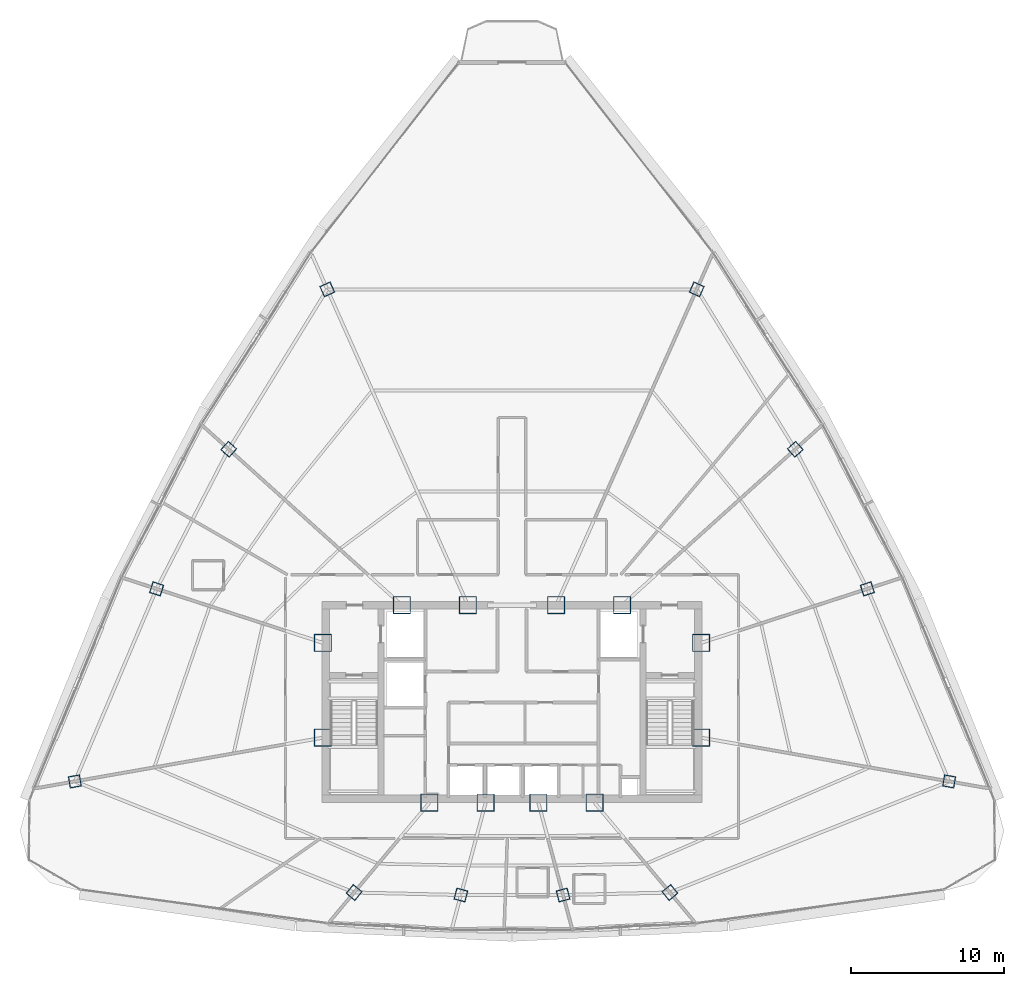
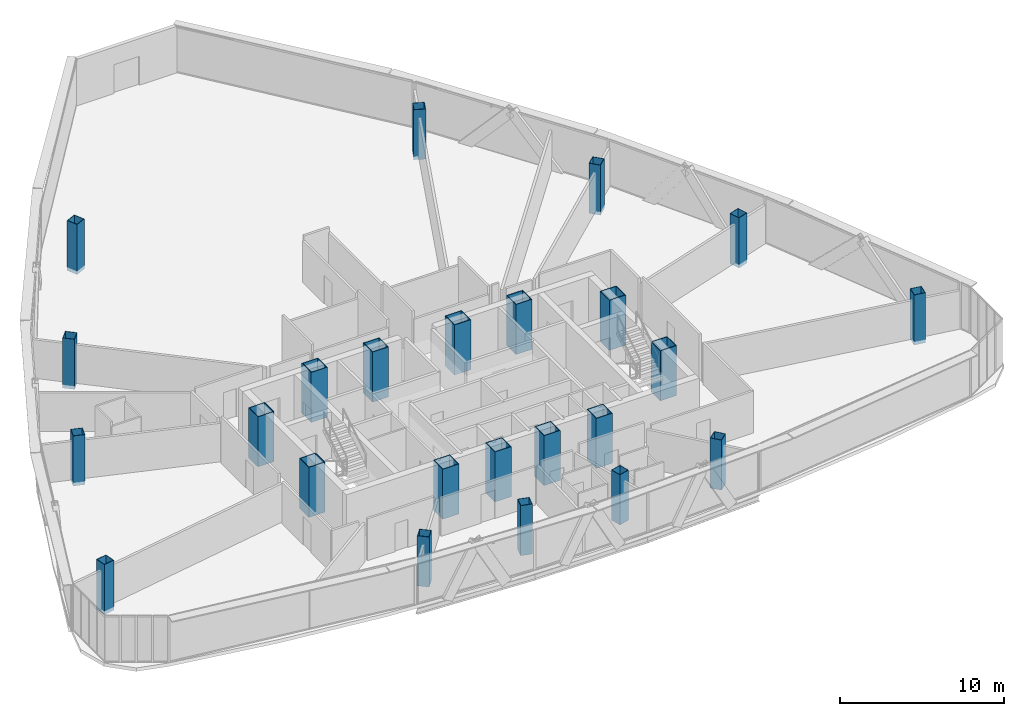
# One storey, part 1 of 40: 24 columns.
"""IFC4 building model written with IfcOpenShell, lengths in metres."""

from ifc_helpers import new_model, si_unit, direction, frame, origin, origin_2d, place, context, subcontext, project, spatial, hollow_rectangle, extrude, source, transform, mapped, material, material_profile, profile_set, type_object, element, save


model = new_model("IFC4")

# Units and contexts
model_context = context("Model", 3, precision=1e-05, world=origin(), true_north=direction((0.0, 1.0)))
body_context = subcontext(model_context, "Body", "Model", "MODEL_VIEW")
ifc_project = project(units=[si_unit("LENGTHUNIT", "METRE"), si_unit("AREAUNIT", "SQUARE_METRE"), si_unit("VOLUMEUNIT", "CUBIC_METRE"), si_unit("PLANEANGLEUNIT", "RADIAN"), si_unit("MASSUNIT", "GRAM", prefix="KILO"), si_unit("THERMODYNAMICTEMPERATUREUNIT", "KELVIN"), si_unit("POWERUNIT", "WATT")], contexts=[model_context])

# Site, building, storey
site_placement = place(None, origin())
site = spatial("IfcSite", under=ifc_project, at=site_placement, CompositionType="ELEMENT")
building_placement = place(site_placement, origin())
building = spatial("IfcBuilding", under=site, at=building_placement, Name="Yunzhuo Pagoda Commons", CompositionType="ELEMENT")
storey_placement = place(building_placement, frame((0.0, 0.0, 292.47998046875)))
storey = spatial("IfcBuildingStorey", under=building, at=storey_placement, Name="L73", CompositionType="ELEMENT", Elevation=292.47998046875)

# Columns
ifc_material_1 = material(Name="Structural steel Q420B", Category="steel")
ifc_material_profile_1 = material_profile(ifc_material_1, hollow_rectangle(XDim=1.14990234375, YDim=1.14990234375, WallThickness=0.048095703125, at=origin_2d()), Name="Structural steel Q420B")
ifc_profile_set_1 = profile_set([ifc_material_profile_1], Name="Structural steel Q420B")
column_type_1 = type_object("IfcColumnType", Name="C-COR Column BOX 1150x1150x48", PredefinedType="COLUMN", material=ifc_profile_set_1)
shared_shape_1 = source(origin(), body_context, "Body", "SweptSolid", [
    extrude(hollow_rectangle(XDim=1.14990234375, YDim=1.14990234375, WallThickness=0.048095703125, at=origin_2d()), origin(), (0.0, 0.0, 1.0), 3.72998046875),
])
for number, where, z_axis, x_axis, name in (
    (1, (42.587890625, 27.25, -0.260009765625), (0.0, 0.0, 1.0), (1.0, 0.0, 0.0), "L73 core composite column F1C1"),
    (2, (46.27197265625, 27.25, -0.260009765625), (0.0, 0.0, 1.0), (1.0, 0.0, 0.0), "L73 core composite column F1C2"),
    (3, (49.728515625, 27.25, -0.260009765625), (0.0, 0.0, 1.0), (1.0, 0.0, 0.0), "L73 core composite column F1C3"),
    (4, (53.412109375, 27.25, -0.260009765625), (0.0, 0.0, 1.0), (1.0, 0.0, 0.0), "L73 core composite column F1C4"),
    (5, (60.39990234375, 31.513427734375, -0.260009765625), (0.0, 0.0, 1.0), (1.0, 0.0, 0.0), "L73 core composite column F2C1"),
    (6, (60.39990234375, 37.72900390625, -0.260009765625), (0.0, 0.0, 1.0), (1.0, 0.0, 0.0), "L73 core composite column F2C2"),
    (7, (55.218994140625, 40.199951171875, -0.260009765625), (0.0, 0.0, 1.0), (1.0, 0.0, 0.0), "L73 core composite column F2C3"),
    (8, (50.89404296875, 40.199951171875, -0.260009765625), (0.0, 0.0, 1.0), (1.0, 0.0, 0.0), "L73 core composite column F2C4"),
    (9, (45.10595703125, 40.199951171875, -0.260009765625), (0.0, 0.0, 1.0), (1.0, 0.0, 0.0), "L73 core composite column F3C1"),
    (10, (40.781005859375, 40.199951171875, -0.260009765625), (0.0, 0.0, 1.0), (1.0, 0.0, 0.0), "L73 core composite column F3C2"),
    (11, (35.60009765625, 37.72900390625, -0.260009765625), (0.0, 0.0, 1.0), (1.0, 0.0, 0.0), "L73 core composite column F3C3"),
    (12, (35.60009765625, 31.513427734375, -0.260009765625), (0.0, 0.0, 1.0), (1.0, 0.0, 0.0), "L73 core composite column F3C4"),
):
    element("IfcColumn", number, at=place(storey_placement, frame(where, z_axis=z_axis, x_axis=x_axis)), inside=storey, type_object=column_type_1, Name=name, PredefinedType="COLUMN", context=body_context, shape_type="MappedRepresentation", body=[
        mapped(shared_shape_1, transform((0.0, 0.0, 0.0), scale=1.0)),
    ])
ifc_material_2 = material(Name="Structural steel Q355B", Category="steel")
ifc_material_profile_2 = material_profile(ifc_material_2, hollow_rectangle(XDim=0.75, YDim=0.75, WallThickness=0.028076171875, at=origin_2d()), Name="Structural steel Q355B")
ifc_profile_set_2 = profile_set([ifc_material_profile_2], Name="Structural steel Q355B")
column_type_2 = type_object("IfcColumnType", Name="C-Z6 Column BOX 750x750x28", PredefinedType="COLUMN", material=ifc_profile_set_2)
shared_shape_2 = source(origin(), body_context, "Body", "SweptSolid", [
    extrude(hollow_rectangle(XDim=0.75, YDim=0.75, WallThickness=0.028076171875, at=origin_2d()), origin(), (0.0, 0.0, 1.0), 3.72998046875),
])
for number, where, z_axis, x_axis, name in (
    (13, (37.64697265625, 21.361572265625, -0.260009765625), (0.0, 0.0, 1.0), (0.766044443119, -0.642787609687, 0.0), "L73 tower column F1C1"),
    (14, (44.6494140625, 21.195556640625, -0.260009765625), (0.0, 0.0, 1.0), (0.965925826289, -0.258819045103, 0.0), "L73 tower column F1C2"),
    (15, (51.3505859375, 21.195556640625, -0.260009765625), (0.0, 0.0, 1.0), (0.965925826289, 0.258819045103, 0.0), "L73 tower column F1C3"),
    (16, (58.353515625, 21.361572265625, -0.260009765625), (0.0, 0.0, 1.0), (0.766044443119, 0.642787609687, 0.0), "L73 tower column F1C4"),
    (17, (76.66162109375, 28.646240234375, -0.260009765625), (0.0, 0.0, 1.0), (0.173648177667, 0.984807753012, 0.0), "L73 tower column F2C1"),
    (18, (71.302490234375, 41.271484375, -0.260009765625), (0.0, 0.0, 1.0), (-0.309016994375, 0.951056516295, 0.0), "L73 tower column F2C2"),
    (19, (66.5732421875, 50.423583984375, -0.260009765625), (0.0, 0.0, 1.0), (-0.669130606359, 0.743144825477, 0.0), "L73 tower column F2C3"),
    (20, (60.1142578125, 60.9091796875, -0.260009765625), (0.0, 0.0, 1.0), (-0.913545457643, 0.406736643076, 0.0), "L73 tower column F2C4"),
    (21, (35.8857421875, 60.9091796875, -0.260009765625), (0.0, 0.0, 1.0), (-0.913545457643, -0.406736643076, 0.0), "L73 tower column F3C1"),
    (22, (29.4267578125, 50.423583984375, -0.260009765625), (0.0, 0.0, 1.0), (-0.669130606359, -0.743144825477, 0.0), "L73 tower column F3C2"),
    (23, (24.697509765625, 41.271484375, -0.260009765625), (0.0, 0.0, 1.0), (-0.309016994375, -0.951056516295, 0.0), "L73 tower column F3C3"),
    (24, (19.33837890625, 28.646240234375, -0.260009765625), (0.0, 0.0, 1.0), (0.173648177667, -0.984807753012, 0.0), "L73 tower column F3C4"),
):
    element("IfcColumn", number, at=place(storey_placement, frame(where, z_axis=z_axis, x_axis=x_axis)), inside=storey, type_object=column_type_2, Name=name, PredefinedType="COLUMN", context=body_context, shape_type="MappedRepresentation", body=[
        mapped(shared_shape_2, transform((0.0, 0.0, 0.0), scale=1.0)),
    ])

save(model, "model.ifc")
